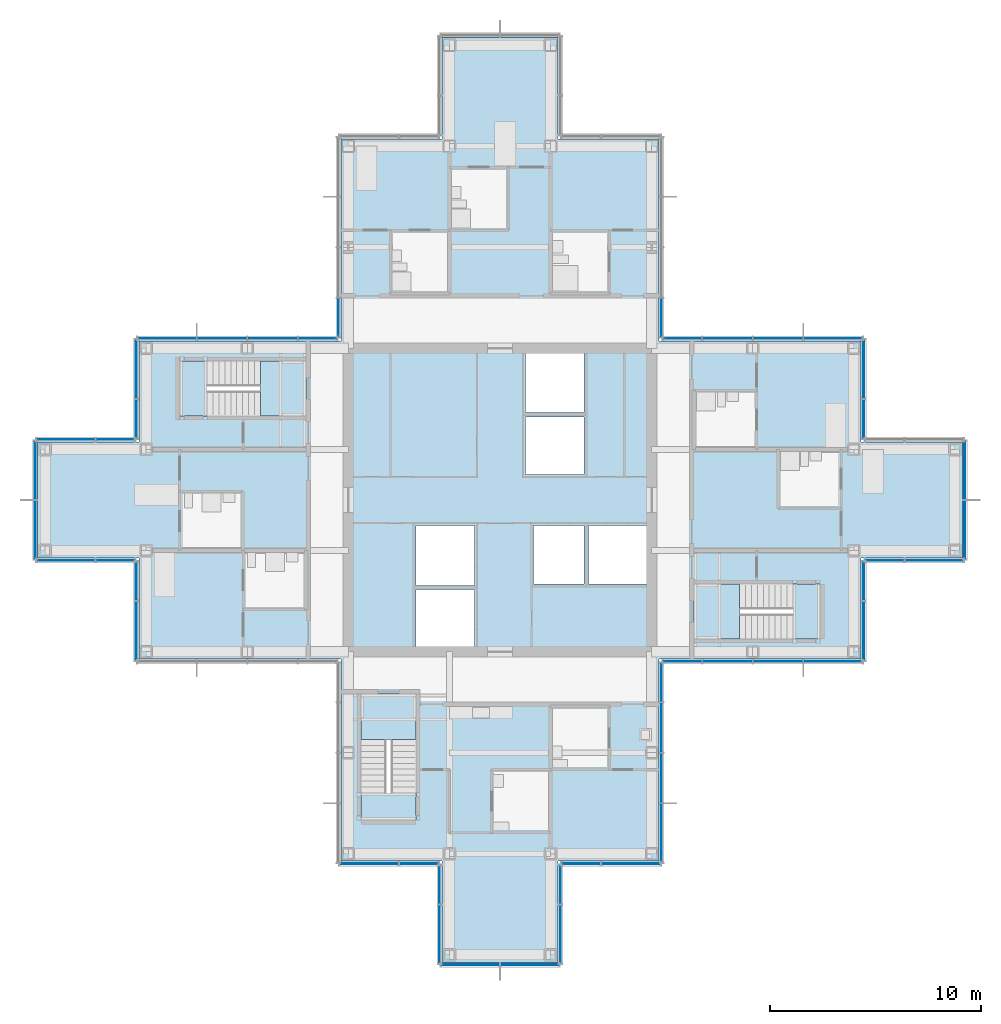
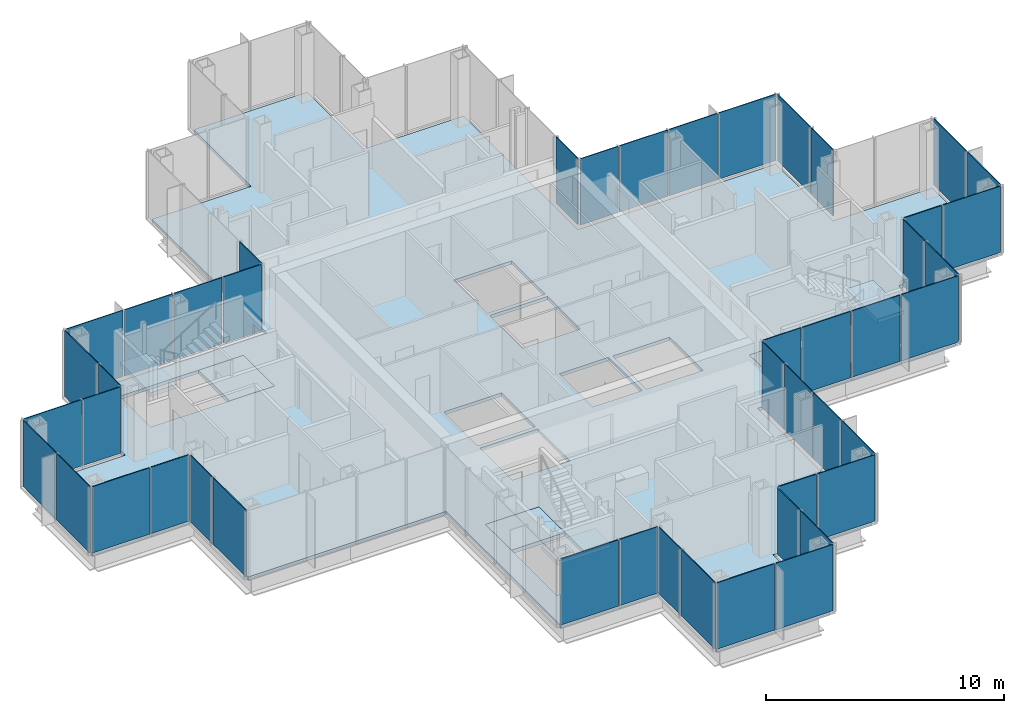
# One storey, part 10 of 17: 46 plates, 7 slabs, 23 elements without a shape of their own.
"""IFC4 building model written with IfcOpenShell, lengths in metres."""

from ifc_helpers import new_model, si_unit, direction, frame, origin, origin_2d, place, context, subcontext, project, spatial, polyline, rectangle, outline, extrude, material, layer, layer_set, type_object, element, aggregate, save


model = new_model("IFC4")

# Units and contexts
model_context = context("Model", 3, precision=1e-05, world=origin(), true_north=direction((0.0, 1.0)))
body_context = subcontext(model_context, "Body", "Model", "MODEL_VIEW")
ifc_project = project(units=[si_unit("LENGTHUNIT", "METRE"), si_unit("AREAUNIT", "SQUARE_METRE"), si_unit("VOLUMEUNIT", "CUBIC_METRE"), si_unit("PLANEANGLEUNIT", "RADIAN"), si_unit("MASSUNIT", "GRAM", prefix="KILO")], contexts=[model_context])

# Site, building, storey
site_placement = place(None, origin())
site = spatial("IfcSite", under=ifc_project, at=site_placement, CompositionType="ELEMENT")
building_placement = place(site_placement, origin())
building = spatial("IfcBuilding", under=site, at=building_placement, Name="Kvirike Care Tower", CompositionType="ELEMENT")
storey_placement = place(building_placement, frame((0.0, 0.0, 144.5)))
storey = spatial("IfcBuildingStorey", under=building, at=storey_placement, Name="L39", CompositionType="ELEMENT", Elevation=144.5)

# Slab
ifc_material_1 = material(Name="Concrete C35/45", Category="concrete")
ifc_layer_1 = layer(ifc_material_1, 0.169921875)
ifc_layer_set_1 = layer_set([ifc_layer_1], Name="FLOOR SLAB 170")
slab_type_1 = type_object("IfcSlabType", Name="FLOOR SLAB 170", PredefinedType="FLOOR", material=ifc_layer_set_1)
slab_1_placement = place(storey_placement, frame((0.0, 0.0, -0.169921875)))
element("IfcSlab", 1, at=slab_1_placement, inside=storey, type_object=slab_type_1, Name="Floor slab L39", PredefinedType="FLOOR", context=body_context, shape_type="SweptSolid", body=[
    extrude(outline(polyline([(29.14990234375, 28.449951171875), (38.75, 28.449951171875), (38.75, 33.25), (43.550048828125, 33.25), (43.550048828125, 38.75), (38.75, 38.75), (38.75, 43.550048828125), (29.14990234375, 43.550048828125), (29.14990234375, 53.14990234375), (24.35009765625, 53.14990234375), (24.35009765625, 57.949951171875), (18.85009765625, 57.949951171875), (18.85009765625, 53.14990234375), (14.050048828125, 53.14990234375), (14.050048828125, 43.550048828125), (4.449951171875, 43.550048828125), (4.449951171875, 38.75), (-0.35009765625, 38.75), (-0.35009765625, 33.25), (4.449951171875, 33.25), (4.449951171875, 28.449951171875), (14.050048828125, 28.449951171875), (14.050048828125, 18.85009765625), (18.85009765625, 18.85009765625), (18.85009765625, 14.050048828125), (24.35009765625, 14.050048828125), (24.35009765625, 18.85009765625), (29.14990234375, 18.85009765625), (29.14990234375, 28.449951171875)]), holes=[polyline([(17.60009765625, 29.050048828125), (17.60009765625, 31.75), (20.39990234375, 31.75), (20.39990234375, 29.050048828125), (17.60009765625, 29.050048828125)]), polyline([(17.60009765625, 31.949951171875), (17.60009765625, 34.800048828125), (20.39990234375, 34.800048828125), (20.39990234375, 31.949951171875), (17.60009765625, 31.949951171875)]), polyline([(22.800048828125, 37.199951171875), (22.800048828125, 39.949951171875), (25.60009765625, 39.949951171875), (25.60009765625, 37.199951171875), (22.800048828125, 37.199951171875)]), polyline([(22.800048828125, 40.14990234375), (22.800048828125, 42.949951171875), (25.60009765625, 42.949951171875), (25.60009765625, 40.14990234375), (22.800048828125, 40.14990234375)]), polyline([(23.199951171875, 32.0), (23.199951171875, 34.800048828125), (25.60009765625, 34.800048828125), (25.60009765625, 32.0), (23.199951171875, 32.0)]), polyline([(25.800048828125, 32.0), (25.800048828125, 34.800048828125), (28.550048828125, 34.800048828125), (28.550048828125, 32.0), (25.800048828125, 32.0)]), polyline([(12.39990234375, 42.60009765625), (12.39990234375, 40.0), (6.39990234375, 40.0), (6.39990234375, 42.60009765625), (12.39990234375, 42.60009765625)]), polyline([(30.800048828125, 29.39990234375), (30.800048828125, 32.0), (36.800048828125, 32.0), (36.800048828125, 29.39990234375), (30.800048828125, 29.39990234375)]), polyline([(15.0, 26.800048828125), (17.60009765625, 26.800048828125), (17.60009765625, 20.800048828125), (15.0, 20.800048828125), (15.0, 26.800048828125)])]), origin(), (0.0, 0.0, 1.0), 0.169921875),
])

# Stair, slabs
ifc_material_2 = material(Name="Concrete C35/45", Category="concrete")
stair_type = type_object("IfcStairType", Name="STAIR 20 RISERS", PredefinedType="HALF_TURN_STAIR", material=ifc_material_2)
stair_1_placement = place(storey_placement, origin())
stair_1 = element("IfcStair", 2, at=stair_1_placement, inside=storey, type_object=stair_type, Name="Stair 1 L39", PredefinedType="HALF_TURN_STAIR")
ifc_material_3 = material(Name="Concrete C35/45", Category="concrete")
ifc_layer_2 = layer(ifc_material_3, 0.199951171875)
ifc_layer_set_2 = layer_set([ifc_layer_2], Name="STAIR LANDING 200")
slab_type_2 = type_object("IfcSlabType", Name="STAIR LANDING 200", PredefinedType="LANDING", material=ifc_layer_set_2)
slab_2_placement = place(storey_placement, frame((0.0, 0.0, -0.199951171875)))
slab_2 = element("IfcSlab", 3, at=slab_2_placement, type_object=slab_type_2, Name="Stair S1 floor landing L39", PredefinedType="LANDING", context=body_context, shape_type="SweptSolid", body=[
    extrude(outline(polyline([(10.219970703125, 42.60009765625), (10.219970703125, 40.0), (12.39990234375, 40.0), (12.39990234375, 42.60009765625), (10.219970703125, 42.60009765625)])), origin(), (0.0, 0.0, 1.0), 0.199951171875),
])
slab_3_placement = place(storey_placement, frame((0.0, 0.0, 1.550048828125)))
slab_3 = element("IfcSlab", 4, at=slab_3_placement, type_object=slab_type_2, Name="Stair S1 half landing L39-L40", PredefinedType="LANDING", context=body_context, shape_type="SweptSolid", body=[
    extrude(outline(polyline([(6.39990234375, 42.60009765625), (6.39990234375, 40.0), (7.699951171875, 40.0), (7.699951171875, 42.60009765625), (6.39990234375, 42.60009765625)])), origin(), (0.0, 0.0, 1.0), 0.199951171875),
])
aggregate(stair_1, [slab_2, slab_3])

stair_2_placement = place(storey_placement, origin())
stair_2 = element("IfcStair", 5, at=stair_2_placement, inside=storey, type_object=stair_type, Name="Stair 2 L39", PredefinedType="HALF_TURN_STAIR")
slab_4_placement = place(storey_placement, frame((0.0, 0.0, -0.199951171875)))
slab_4 = element("IfcSlab", 6, at=slab_4_placement, type_object=slab_type_2, Name="Stair S2 floor landing L39", PredefinedType="LANDING", context=body_context, shape_type="SweptSolid", body=[
    extrude(outline(polyline([(32.97998046875, 29.39990234375), (32.97998046875, 32.0), (30.800048828125, 32.0), (30.800048828125, 29.39990234375), (32.97998046875, 29.39990234375)])), origin(), (0.0, 0.0, 1.0), 0.199951171875),
])
slab_5_placement = place(storey_placement, frame((0.0, 0.0, 1.550048828125)))
slab_5 = element("IfcSlab", 7, at=slab_5_placement, type_object=slab_type_2, Name="Stair S2 half landing L39-L40", PredefinedType="LANDING", context=body_context, shape_type="SweptSolid", body=[
    extrude(outline(polyline([(36.800048828125, 29.39990234375), (36.800048828125, 32.0), (35.5, 32.0), (35.5, 29.39990234375), (36.800048828125, 29.39990234375)])), origin(), (0.0, 0.0, 1.0), 0.199951171875),
])
aggregate(stair_2, [slab_4, slab_5])

stair_3_placement = place(storey_placement, origin())
stair_3 = element("IfcStair", 8, at=stair_3_placement, inside=storey, type_object=stair_type, Name="Stair 5 L39", PredefinedType="HALF_TURN_STAIR")
slab_6_placement = place(storey_placement, frame((0.0, 0.0, -0.199951171875)))
slab_6 = element("IfcSlab", 9, at=slab_6_placement, type_object=slab_type_2, Name="Stair S5 floor landing L39", PredefinedType="LANDING", context=body_context, shape_type="SweptSolid", body=[
    extrude(outline(polyline([(15.0, 24.6201171875), (17.60009765625, 24.6201171875), (17.60009765625, 26.800048828125), (15.0, 26.800048828125), (15.0, 24.6201171875)])), origin(), (0.0, 0.0, 1.0), 0.199951171875),
])
slab_7_placement = place(storey_placement, frame((0.0, 0.0, 1.550048828125)))
slab_7 = element("IfcSlab", 10, at=slab_7_placement, type_object=slab_type_2, Name="Stair S5 half landing L39-L40", PredefinedType="LANDING", context=body_context, shape_type="SweptSolid", body=[
    extrude(outline(polyline([(15.0, 20.800048828125), (17.60009765625, 20.800048828125), (17.60009765625, 22.10009765625), (15.0, 22.10009765625), (15.0, 20.800048828125)])), origin(), (0.0, 0.0, 1.0), 0.199951171875),
])
aggregate(stair_3, [slab_6, slab_7])

# Curtain wall, plates
ifc_material_4 = material(Name="Anodised aluminium stick system", Category="aluminium")
curtain_wall_type = type_object("IfcCurtainWallType", Name="CW-C STICK CURTAIN WALL", PredefinedType="NOTDEFINED", material=ifc_material_4)
curtain_wall_1_placement = place(storey_placement, origin())
curtain_wall_1 = element("IfcCurtainWall", 11, at=curtain_wall_1_placement, inside=storey, type_object=curtain_wall_type, Name="Curtain wall L39 face 1", PredefinedType="NOTDEFINED")
ifc_material_5 = material(Name="Tinted double glazed unit", Category="glass")
ifc_layer_3 = layer(ifc_material_5, 0.0400390625)
ifc_layer_set_3 = layer_set([ifc_layer_3], Name="TINTED VISION PANEL 40")
plate_type = type_object("IfcPlateType", Name="TINTED VISION PANEL 40", PredefinedType="CURTAIN_PANEL", material=ifc_layer_set_3)
plate_1_placement = place(storey_placement, frame((30.251220703125, 28.330078125, 0.10009765625), z_axis=(0.0, 0.0, 1.0), x_axis=(1.0, 0.0, 0.0)))
plate_1 = element("IfcPlate", 12, at=plate_1_placement, type_object=plate_type, Name="CW-C panel L39 face 1.1", PredefinedType="CURTAIN_PANEL", context=body_context, shape_type="SweptSolid", body=[
    extrude(rectangle(XDim=1.83251953125, YDim=0.0400390625, at=origin_2d()), origin(), (0.0, 0.0, 1.0), 3.39990234375),
])
plate_2_placement = place(storey_placement, frame((32.39990234375, 28.330078125, 0.10009765625), z_axis=(0.0, 0.0, 1.0), x_axis=(1.0, 0.0, 0.0)))
plate_2 = element("IfcPlate", 13, at=plate_2_placement, type_object=plate_type, Name="CW-C panel L39 face 1.2", PredefinedType="CURTAIN_PANEL", context=body_context, shape_type="SweptSolid", body=[
    extrude(rectangle(XDim=2.3349609375, YDim=0.0400390625, at=origin_2d()), origin(), (0.0, 0.0, 1.0), 3.39990234375),
])
plate_3_placement = place(storey_placement, frame((34.800048828125, 28.330078125, 0.10009765625), z_axis=(0.0, 0.0, 1.0), x_axis=(1.0, 0.0, 0.0)))
plate_3 = element("IfcPlate", 14, at=plate_3_placement, type_object=plate_type, Name="CW-C panel L39 face 1.3", PredefinedType="CURTAIN_PANEL", context=body_context, shape_type="SweptSolid", body=[
    extrude(rectangle(XDim=2.3349609375, YDim=0.0400390625, at=origin_2d()), origin(), (0.0, 0.0, 1.0), 3.39990234375),
])
plate_4_placement = place(storey_placement, frame((37.418701171875, 28.330078125, 0.10009765625), z_axis=(0.0, 0.0, 1.0), x_axis=(1.0, 0.0, 0.0)))
plate_4 = element("IfcPlate", 15, at=plate_4_placement, type_object=plate_type, Name="CW-C panel L39 face 1.4", PredefinedType="CURTAIN_PANEL", context=body_context, shape_type="SweptSolid", body=[
    extrude(rectangle(XDim=2.7724609375, YDim=0.0400390625, at=origin_2d()), origin(), (0.0, 0.0, 1.0), 3.39990234375),
])
aggregate(curtain_wall_1, [plate_1, plate_2, plate_3, plate_4])

curtain_wall_2_placement = place(storey_placement, origin())
curtain_wall_2 = element("IfcCurtainWall", 16, at=curtain_wall_2_placement, inside=storey, type_object=curtain_wall_type, Name="Curtain wall L39 face 2", PredefinedType="NOTDEFINED")
plate_5_placement = place(storey_placement, frame((38.8701171875, 29.78125, 0.10009765625), z_axis=(0.0, 0.0, 1.0), x_axis=(0.0, 1.0, 0.0)))
plate_5 = element("IfcPlate", 17, at=plate_5_placement, type_object=plate_type, Name="CW-C panel L39 face 2.1", PredefinedType="CURTAIN_PANEL", context=body_context, shape_type="SweptSolid", body=[
    extrude(rectangle(XDim=2.7724609375, YDim=0.0400390625, at=origin_2d()), origin(), (0.0, 0.0, 1.0), 3.39990234375),
])
plate_6_placement = place(storey_placement, frame((38.8701171875, 32.148681640625, 0.10009765625), z_axis=(0.0, 0.0, 1.0), x_axis=(0.0, 1.0, 0.0)))
plate_6 = element("IfcPlate", 18, at=plate_6_placement, type_object=plate_type, Name="CW-C panel L39 face 2.2", PredefinedType="CURTAIN_PANEL", context=body_context, shape_type="SweptSolid", body=[
    extrude(rectangle(XDim=1.83251953125, YDim=0.0400390625, at=origin_2d()), origin(), (0.0, 0.0, 1.0), 3.39990234375),
])
aggregate(curtain_wall_2, [plate_5, plate_6])

curtain_wall_3_placement = place(storey_placement, origin())
curtain_wall_3 = element("IfcCurtainWall", 19, at=curtain_wall_3_placement, inside=storey, type_object=curtain_wall_type, Name="Curtain wall L39 face 3", PredefinedType="NOTDEFINED")
plate_7_placement = place(storey_placement, frame((39.851318359375, 33.1298828125, 0.10009765625), z_axis=(0.0, 0.0, 1.0), x_axis=(1.0, 0.0, 0.0)))
plate_7 = element("IfcPlate", 20, at=plate_7_placement, type_object=plate_type, Name="CW-C panel L39 face 3.1", PredefinedType="CURTAIN_PANEL", context=body_context, shape_type="SweptSolid", body=[
    extrude(rectangle(XDim=1.83251953125, YDim=0.0400390625, at=origin_2d()), origin(), (0.0, 0.0, 1.0), 3.39990234375),
])
plate_8_placement = place(storey_placement, frame((42.21875, 33.1298828125, 0.10009765625), z_axis=(0.0, 0.0, 1.0), x_axis=(1.0, 0.0, 0.0)))
plate_8 = element("IfcPlate", 21, at=plate_8_placement, type_object=plate_type, Name="CW-C panel L39 face 3.2", PredefinedType="CURTAIN_PANEL", context=body_context, shape_type="SweptSolid", body=[
    extrude(rectangle(XDim=2.7724609375, YDim=0.0400390625, at=origin_2d()), origin(), (0.0, 0.0, 1.0), 3.39990234375),
])
aggregate(curtain_wall_3, [plate_7, plate_8])

curtain_wall_4_placement = place(storey_placement, origin())
curtain_wall_4 = element("IfcCurtainWall", 22, at=curtain_wall_4_placement, inside=storey, type_object=curtain_wall_type, Name="Curtain wall L39 face 4", PredefinedType="NOTDEFINED")
plate_9_placement = place(storey_placement, frame((43.669921875, 34.581298828125, 0.10009765625), z_axis=(0.0, 0.0, 1.0), x_axis=(0.0, 1.0, 0.0)))
plate_9 = element("IfcPlate", 23, at=plate_9_placement, type_object=plate_type, Name="CW-C panel L39 face 4.1", PredefinedType="CURTAIN_PANEL", context=body_context, shape_type="SweptSolid", body=[
    extrude(rectangle(XDim=2.7724609375, YDim=0.0400390625, at=origin_2d()), origin(), (0.0, 0.0, 1.0), 3.39990234375),
])
plate_10_placement = place(storey_placement, frame((43.669921875, 37.418701171875, 0.10009765625), z_axis=(0.0, 0.0, 1.0), x_axis=(0.0, 1.0, 0.0)))
plate_10 = element("IfcPlate", 24, at=plate_10_placement, type_object=plate_type, Name="CW-C panel L39 face 4.2", PredefinedType="CURTAIN_PANEL", context=body_context, shape_type="SweptSolid", body=[
    extrude(rectangle(XDim=2.7724609375, YDim=0.0400390625, at=origin_2d()), origin(), (0.0, 0.0, 1.0), 3.39990234375),
])
aggregate(curtain_wall_4, [plate_9, plate_10])

curtain_wall_5_placement = place(storey_placement, origin())
curtain_wall_5 = element("IfcCurtainWall", 25, at=curtain_wall_5_placement, inside=storey, type_object=curtain_wall_type, Name="Curtain wall L39 face 6", PredefinedType="NOTDEFINED")
plate_11_placement = place(storey_placement, frame((38.8701171875, 39.851318359375, 0.10009765625), z_axis=(0.0, 0.0, 1.0), x_axis=(0.0, 1.0, 0.0)))
plate_11 = element("IfcPlate", 26, at=plate_11_placement, type_object=plate_type, Name="CW-C panel L39 face 6.1", PredefinedType="CURTAIN_PANEL", context=body_context, shape_type="SweptSolid", body=[
    extrude(rectangle(XDim=1.83251953125, YDim=0.0400390625, at=origin_2d()), origin(), (0.0, 0.0, 1.0), 3.39990234375),
])
plate_12_placement = place(storey_placement, frame((38.8701171875, 42.21875, 0.10009765625), z_axis=(0.0, 0.0, 1.0), x_axis=(0.0, 1.0, 0.0)))
plate_12 = element("IfcPlate", 27, at=plate_12_placement, type_object=plate_type, Name="CW-C panel L39 face 6.2", PredefinedType="CURTAIN_PANEL", context=body_context, shape_type="SweptSolid", body=[
    extrude(rectangle(XDim=2.7724609375, YDim=0.0400390625, at=origin_2d()), origin(), (0.0, 0.0, 1.0), 3.39990234375),
])
aggregate(curtain_wall_5, [plate_11, plate_12])

curtain_wall_6_placement = place(storey_placement, origin())
curtain_wall_6 = element("IfcCurtainWall", 28, at=curtain_wall_6_placement, inside=storey, type_object=curtain_wall_type, Name="Curtain wall L39 face 7", PredefinedType="NOTDEFINED")
plate_13_placement = place(storey_placement, frame((37.418701171875, 43.669921875, 0.10009765625), z_axis=(0.0, 0.0, 1.0), x_axis=(-1.0, 0.0, 0.0)))
plate_13 = element("IfcPlate", 29, at=plate_13_placement, type_object=plate_type, Name="CW-C panel L39 face 7.1", PredefinedType="CURTAIN_PANEL", context=body_context, shape_type="SweptSolid", body=[
    extrude(rectangle(XDim=2.7724609375, YDim=0.0400390625, at=origin_2d()), origin(), (0.0, 0.0, 1.0), 3.39990234375),
])
plate_14_placement = place(storey_placement, frame((34.800048828125, 43.669921875, 0.10009765625), z_axis=(0.0, 0.0, 1.0), x_axis=(-1.0, 0.0, 0.0)))
plate_14 = element("IfcPlate", 30, at=plate_14_placement, type_object=plate_type, Name="CW-C panel L39 face 7.2", PredefinedType="CURTAIN_PANEL", context=body_context, shape_type="SweptSolid", body=[
    extrude(rectangle(XDim=2.3349609375, YDim=0.0400390625, at=origin_2d()), origin(), (0.0, 0.0, 1.0), 3.39990234375),
])
plate_15_placement = place(storey_placement, frame((32.39990234375, 43.669921875, 0.10009765625), z_axis=(0.0, 0.0, 1.0), x_axis=(-1.0, 0.0, 0.0)))
plate_15 = element("IfcPlate", 31, at=plate_15_placement, type_object=plate_type, Name="CW-C panel L39 face 7.3", PredefinedType="CURTAIN_PANEL", context=body_context, shape_type="SweptSolid", body=[
    extrude(rectangle(XDim=2.3349609375, YDim=0.0400390625, at=origin_2d()), origin(), (0.0, 0.0, 1.0), 3.39990234375),
])
plate_16_placement = place(storey_placement, frame((30.251220703125, 43.669921875, 0.10009765625), z_axis=(0.0, 0.0, 1.0), x_axis=(-1.0, 0.0, 0.0)))
plate_16 = element("IfcPlate", 32, at=plate_16_placement, type_object=plate_type, Name="CW-C panel L39 face 7.4", PredefinedType="CURTAIN_PANEL", context=body_context, shape_type="SweptSolid", body=[
    extrude(rectangle(XDim=1.83251953125, YDim=0.0400390625, at=origin_2d()), origin(), (0.0, 0.0, 1.0), 3.39990234375),
])
aggregate(curtain_wall_6, [plate_13, plate_14, plate_15, plate_16])

# Curtain wall, plate
curtain_wall_7_placement = place(storey_placement, origin())
curtain_wall_7 = element("IfcCurtainWall", 33, at=curtain_wall_7_placement, inside=storey, type_object=curtain_wall_type, Name="Curtain wall L39 face 8", PredefinedType="NOTDEFINED")
plate_17_placement = place(storey_placement, frame((29.27001953125, 44.6513671875, 0.10009765625), z_axis=(0.0, 0.0, 1.0), x_axis=(0.0, 1.0, 0.0)))
plate_17 = element("IfcPlate", 34, at=plate_17_placement, type_object=plate_type, Name="CW-C panel L39 face 8.1", PredefinedType="CURTAIN_PANEL", context=body_context, shape_type="SweptSolid", body=[
    extrude(rectangle(XDim=1.83251953125, YDim=0.0400390625, at=origin_2d()), origin(), (0.0, 0.0, 1.0), 3.39990234375),
])
aggregate(curtain_wall_7, [plate_17])

curtain_wall_8_placement = place(storey_placement, origin())
curtain_wall_8 = element("IfcCurtainWall", 35, at=curtain_wall_8_placement, inside=storey, type_object=curtain_wall_type, Name="Curtain wall L39 face 14", PredefinedType="NOTDEFINED")
plate_18_placement = place(storey_placement, frame((13.929931640625, 44.6513671875, 0.10009765625), z_axis=(0.0, 0.0, 1.0), x_axis=(0.0, -1.0, 0.0)))
plate_18 = element("IfcPlate", 36, at=plate_18_placement, type_object=plate_type, Name="CW-C panel L39 face 14.4", PredefinedType="CURTAIN_PANEL", context=body_context, shape_type="SweptSolid", body=[
    extrude(rectangle(XDim=1.83251953125, YDim=0.0400390625, at=origin_2d()), origin(), (0.0, 0.0, 1.0), 3.39990234375),
])
aggregate(curtain_wall_8, [plate_18])

# Curtain wall, plates
curtain_wall_9_placement = place(storey_placement, origin())
curtain_wall_9 = element("IfcCurtainWall", 37, at=curtain_wall_9_placement, inside=storey, type_object=curtain_wall_type, Name="Curtain wall L39 face 15", PredefinedType="NOTDEFINED")
plate_19_placement = place(storey_placement, frame((12.94873046875, 43.669921875, 0.10009765625), z_axis=(0.0, 0.0, 1.0), x_axis=(-1.0, 0.0, 0.0)))
plate_19 = element("IfcPlate", 38, at=plate_19_placement, type_object=plate_type, Name="CW-C panel L39 face 15.1", PredefinedType="CURTAIN_PANEL", context=body_context, shape_type="SweptSolid", body=[
    extrude(rectangle(XDim=1.83251953125, YDim=0.0400390625, at=origin_2d()), origin(), (0.0, 0.0, 1.0), 3.39990234375),
])
plate_20_placement = place(storey_placement, frame((10.800048828125, 43.669921875, 0.10009765625), z_axis=(0.0, 0.0, 1.0), x_axis=(-1.0, 0.0, 0.0)))
plate_20 = element("IfcPlate", 39, at=plate_20_placement, type_object=plate_type, Name="CW-C panel L39 face 15.2", PredefinedType="CURTAIN_PANEL", context=body_context, shape_type="SweptSolid", body=[
    extrude(rectangle(XDim=2.3349609375, YDim=0.0400390625, at=origin_2d()), origin(), (0.0, 0.0, 1.0), 3.39990234375),
])
plate_21_placement = place(storey_placement, frame((8.39990234375, 43.669921875, 0.10009765625), z_axis=(0.0, 0.0, 1.0), x_axis=(-1.0, 0.0, 0.0)))
plate_21 = element("IfcPlate", 40, at=plate_21_placement, type_object=plate_type, Name="CW-C panel L39 face 15.3", PredefinedType="CURTAIN_PANEL", context=body_context, shape_type="SweptSolid", body=[
    extrude(rectangle(XDim=2.3349609375, YDim=0.0400390625, at=origin_2d()), origin(), (0.0, 0.0, 1.0), 3.39990234375),
])
plate_22_placement = place(storey_placement, frame((5.78125, 43.669921875, 0.10009765625), z_axis=(0.0, 0.0, 1.0), x_axis=(-1.0, 0.0, 0.0)))
plate_22 = element("IfcPlate", 41, at=plate_22_placement, type_object=plate_type, Name="CW-C panel L39 face 15.4", PredefinedType="CURTAIN_PANEL", context=body_context, shape_type="SweptSolid", body=[
    extrude(rectangle(XDim=2.7724609375, YDim=0.0400390625, at=origin_2d()), origin(), (0.0, 0.0, 1.0), 3.39990234375),
])
aggregate(curtain_wall_9, [plate_19, plate_20, plate_21, plate_22])

curtain_wall_10_placement = place(storey_placement, origin())
curtain_wall_10 = element("IfcCurtainWall", 42, at=curtain_wall_10_placement, inside=storey, type_object=curtain_wall_type, Name="Curtain wall L39 face 16", PredefinedType="NOTDEFINED")
plate_23_placement = place(storey_placement, frame((4.330078125, 42.21875, 0.10009765625), z_axis=(0.0, 0.0, 1.0), x_axis=(0.0, -1.0, 0.0)))
plate_23 = element("IfcPlate", 43, at=plate_23_placement, type_object=plate_type, Name="CW-C panel L39 face 16.1", PredefinedType="CURTAIN_PANEL", context=body_context, shape_type="SweptSolid", body=[
    extrude(rectangle(XDim=2.7724609375, YDim=0.0400390625, at=origin_2d()), origin(), (0.0, 0.0, 1.0), 3.39990234375),
])
plate_24_placement = place(storey_placement, frame((4.330078125, 39.851318359375, 0.10009765625), z_axis=(0.0, 0.0, 1.0), x_axis=(0.0, -1.0, 0.0)))
plate_24 = element("IfcPlate", 44, at=plate_24_placement, type_object=plate_type, Name="CW-C panel L39 face 16.2", PredefinedType="CURTAIN_PANEL", context=body_context, shape_type="SweptSolid", body=[
    extrude(rectangle(XDim=1.83251953125, YDim=0.0400390625, at=origin_2d()), origin(), (0.0, 0.0, 1.0), 3.39990234375),
])
aggregate(curtain_wall_10, [plate_23, plate_24])

curtain_wall_11_placement = place(storey_placement, origin())
curtain_wall_11 = element("IfcCurtainWall", 45, at=curtain_wall_11_placement, inside=storey, type_object=curtain_wall_type, Name="Curtain wall L39 face 17", PredefinedType="NOTDEFINED")
plate_25_placement = place(storey_placement, frame((3.3486328125, 38.8701171875, 0.10009765625), z_axis=(0.0, 0.0, 1.0), x_axis=(-1.0, 0.0, 0.0)))
plate_25 = element("IfcPlate", 46, at=plate_25_placement, type_object=plate_type, Name="CW-C panel L39 face 17.1", PredefinedType="CURTAIN_PANEL", context=body_context, shape_type="SweptSolid", body=[
    extrude(rectangle(XDim=1.83251953125, YDim=0.0400390625, at=origin_2d()), origin(), (0.0, 0.0, 1.0), 3.39990234375),
])
plate_26_placement = place(storey_placement, frame((0.981201171875, 38.8701171875, 0.10009765625), z_axis=(0.0, 0.0, 1.0), x_axis=(-1.0, 0.0, 0.0)))
plate_26 = element("IfcPlate", 47, at=plate_26_placement, type_object=plate_type, Name="CW-C panel L39 face 17.2", PredefinedType="CURTAIN_PANEL", context=body_context, shape_type="SweptSolid", body=[
    extrude(rectangle(XDim=2.7724609375, YDim=0.0400390625, at=origin_2d()), origin(), (0.0, 0.0, 1.0), 3.39990234375),
])
aggregate(curtain_wall_11, [plate_25, plate_26])

curtain_wall_12_placement = place(storey_placement, origin())
curtain_wall_12 = element("IfcCurtainWall", 48, at=curtain_wall_12_placement, inside=storey, type_object=curtain_wall_type, Name="Curtain wall L39 face 18", PredefinedType="NOTDEFINED")
plate_27_placement = place(storey_placement, frame((-0.469970703125, 37.418701171875, 0.10009765625), z_axis=(0.0, 0.0, 1.0), x_axis=(0.0, -1.0, 0.0)))
plate_27 = element("IfcPlate", 49, at=plate_27_placement, type_object=plate_type, Name="CW-C panel L39 face 18.1", PredefinedType="CURTAIN_PANEL", context=body_context, shape_type="SweptSolid", body=[
    extrude(rectangle(XDim=2.7724609375, YDim=0.0400390625, at=origin_2d()), origin(), (0.0, 0.0, 1.0), 3.39990234375),
])
plate_28_placement = place(storey_placement, frame((-0.469970703125, 34.581298828125, 0.10009765625), z_axis=(0.0, 0.0, 1.0), x_axis=(0.0, -1.0, 0.0)))
plate_28 = element("IfcPlate", 50, at=plate_28_placement, type_object=plate_type, Name="CW-C panel L39 face 18.2", PredefinedType="CURTAIN_PANEL", context=body_context, shape_type="SweptSolid", body=[
    extrude(rectangle(XDim=2.7724609375, YDim=0.0400390625, at=origin_2d()), origin(), (0.0, 0.0, 1.0), 3.39990234375),
])
aggregate(curtain_wall_12, [plate_27, plate_28])

curtain_wall_13_placement = place(storey_placement, origin())
curtain_wall_13 = element("IfcCurtainWall", 51, at=curtain_wall_13_placement, inside=storey, type_object=curtain_wall_type, Name="Curtain wall L39 face 19", PredefinedType="NOTDEFINED")
plate_29_placement = place(storey_placement, frame((0.981201171875, 33.1298828125, 0.10009765625), z_axis=(0.0, 0.0, 1.0), x_axis=(1.0, 0.0, 0.0)))
plate_29 = element("IfcPlate", 52, at=plate_29_placement, type_object=plate_type, Name="CW-C panel L39 face 19.1", PredefinedType="CURTAIN_PANEL", context=body_context, shape_type="SweptSolid", body=[
    extrude(rectangle(XDim=2.7724609375, YDim=0.0400390625, at=origin_2d()), origin(), (0.0, 0.0, 1.0), 3.39990234375),
])
plate_30_placement = place(storey_placement, frame((3.3486328125, 33.1298828125, 0.10009765625), z_axis=(0.0, 0.0, 1.0), x_axis=(1.0, 0.0, 0.0)))
plate_30 = element("IfcPlate", 53, at=plate_30_placement, type_object=plate_type, Name="CW-C panel L39 face 19.2", PredefinedType="CURTAIN_PANEL", context=body_context, shape_type="SweptSolid", body=[
    extrude(rectangle(XDim=1.83251953125, YDim=0.0400390625, at=origin_2d()), origin(), (0.0, 0.0, 1.0), 3.39990234375),
])
aggregate(curtain_wall_13, [plate_29, plate_30])

curtain_wall_14_placement = place(storey_placement, origin())
curtain_wall_14 = element("IfcCurtainWall", 54, at=curtain_wall_14_placement, inside=storey, type_object=curtain_wall_type, Name="Curtain wall L39 face 20", PredefinedType="NOTDEFINED")
plate_31_placement = place(storey_placement, frame((4.330078125, 32.148681640625, 0.10009765625), z_axis=(0.0, 0.0, 1.0), x_axis=(0.0, -1.0, 0.0)))
plate_31 = element("IfcPlate", 55, at=plate_31_placement, type_object=plate_type, Name="CW-C panel L39 face 20.1", PredefinedType="CURTAIN_PANEL", context=body_context, shape_type="SweptSolid", body=[
    extrude(rectangle(XDim=1.83251953125, YDim=0.0400390625, at=origin_2d()), origin(), (0.0, 0.0, 1.0), 3.39990234375),
])
plate_32_placement = place(storey_placement, frame((4.330078125, 29.78125, 0.10009765625), z_axis=(0.0, 0.0, 1.0), x_axis=(0.0, -1.0, 0.0)))
plate_32 = element("IfcPlate", 56, at=plate_32_placement, type_object=plate_type, Name="CW-C panel L39 face 20.2", PredefinedType="CURTAIN_PANEL", context=body_context, shape_type="SweptSolid", body=[
    extrude(rectangle(XDim=2.7724609375, YDim=0.0400390625, at=origin_2d()), origin(), (0.0, 0.0, 1.0), 3.39990234375),
])
aggregate(curtain_wall_14, [plate_31, plate_32])

curtain_wall_15_placement = place(storey_placement, origin())
curtain_wall_15 = element("IfcCurtainWall", 57, at=curtain_wall_15_placement, inside=storey, type_object=curtain_wall_type, Name="Curtain wall L39 face 23", PredefinedType="NOTDEFINED")
plate_33_placement = place(storey_placement, frame((15.38134765625, 18.72998046875, 0.10009765625), z_axis=(0.0, 0.0, 1.0), x_axis=(1.0, 0.0, 0.0)))
plate_33 = element("IfcPlate", 58, at=plate_33_placement, type_object=plate_type, Name="CW-C panel L39 face 23.1", PredefinedType="CURTAIN_PANEL", context=body_context, shape_type="SweptSolid", body=[
    extrude(rectangle(XDim=2.7724609375, YDim=0.0400390625, at=origin_2d()), origin(), (0.0, 0.0, 1.0), 3.39990234375),
])
plate_34_placement = place(storey_placement, frame((17.748779296875, 18.72998046875, 0.10009765625), z_axis=(0.0, 0.0, 1.0), x_axis=(1.0, 0.0, 0.0)))
plate_34 = element("IfcPlate", 59, at=plate_34_placement, type_object=plate_type, Name="CW-C panel L39 face 23.2", PredefinedType="CURTAIN_PANEL", context=body_context, shape_type="SweptSolid", body=[
    extrude(rectangle(XDim=1.83251953125, YDim=0.0400390625, at=origin_2d()), origin(), (0.0, 0.0, 1.0), 3.39990234375),
])
aggregate(curtain_wall_15, [plate_33, plate_34])

curtain_wall_16_placement = place(storey_placement, origin())
curtain_wall_16 = element("IfcCurtainWall", 60, at=curtain_wall_16_placement, inside=storey, type_object=curtain_wall_type, Name="Curtain wall L39 face 24", PredefinedType="NOTDEFINED")
plate_35_placement = place(storey_placement, frame((18.72998046875, 17.748779296875, 0.10009765625), z_axis=(0.0, 0.0, 1.0), x_axis=(0.0, -1.0, 0.0)))
plate_35 = element("IfcPlate", 61, at=plate_35_placement, type_object=plate_type, Name="CW-C panel L39 face 24.1", PredefinedType="CURTAIN_PANEL", context=body_context, shape_type="SweptSolid", body=[
    extrude(rectangle(XDim=1.83251953125, YDim=0.0400390625, at=origin_2d()), origin(), (0.0, 0.0, 1.0), 3.39990234375),
])
plate_36_placement = place(storey_placement, frame((18.72998046875, 15.38134765625, 0.10009765625), z_axis=(0.0, 0.0, 1.0), x_axis=(0.0, -1.0, 0.0)))
plate_36 = element("IfcPlate", 62, at=plate_36_placement, type_object=plate_type, Name="CW-C panel L39 face 24.2", PredefinedType="CURTAIN_PANEL", context=body_context, shape_type="SweptSolid", body=[
    extrude(rectangle(XDim=2.7724609375, YDim=0.0400390625, at=origin_2d()), origin(), (0.0, 0.0, 1.0), 3.39990234375),
])
aggregate(curtain_wall_16, [plate_35, plate_36])

curtain_wall_17_placement = place(storey_placement, origin())
curtain_wall_17 = element("IfcCurtainWall", 63, at=curtain_wall_17_placement, inside=storey, type_object=curtain_wall_type, Name="Curtain wall L39 face 25", PredefinedType="NOTDEFINED")
plate_37_placement = place(storey_placement, frame((20.18115234375, 13.929931640625, 0.10009765625), z_axis=(0.0, 0.0, 1.0), x_axis=(1.0, 0.0, 0.0)))
plate_37 = element("IfcPlate", 64, at=plate_37_placement, type_object=plate_type, Name="CW-C panel L39 face 25.1", PredefinedType="CURTAIN_PANEL", context=body_context, shape_type="SweptSolid", body=[
    extrude(rectangle(XDim=2.7724609375, YDim=0.0400390625, at=origin_2d()), origin(), (0.0, 0.0, 1.0), 3.39990234375),
])
plate_38_placement = place(storey_placement, frame((23.018798828125, 13.929931640625, 0.10009765625), z_axis=(0.0, 0.0, 1.0), x_axis=(1.0, 0.0, 0.0)))
plate_38 = element("IfcPlate", 65, at=plate_38_placement, type_object=plate_type, Name="CW-C panel L39 face 25.2", PredefinedType="CURTAIN_PANEL", context=body_context, shape_type="SweptSolid", body=[
    extrude(rectangle(XDim=2.7724609375, YDim=0.0400390625, at=origin_2d()), origin(), (0.0, 0.0, 1.0), 3.39990234375),
])
aggregate(curtain_wall_17, [plate_37, plate_38])

curtain_wall_18_placement = place(storey_placement, origin())
curtain_wall_18 = element("IfcCurtainWall", 66, at=curtain_wall_18_placement, inside=storey, type_object=curtain_wall_type, Name="Curtain wall L39 face 26", PredefinedType="NOTDEFINED")
plate_39_placement = place(storey_placement, frame((24.469970703125, 15.38134765625, 0.10009765625), z_axis=(0.0, 0.0, 1.0), x_axis=(0.0, 1.0, 0.0)))
plate_39 = element("IfcPlate", 67, at=plate_39_placement, type_object=plate_type, Name="CW-C panel L39 face 26.1", PredefinedType="CURTAIN_PANEL", context=body_context, shape_type="SweptSolid", body=[
    extrude(rectangle(XDim=2.7724609375, YDim=0.0400390625, at=origin_2d()), origin(), (0.0, 0.0, 1.0), 3.39990234375),
])
plate_40_placement = place(storey_placement, frame((24.469970703125, 17.748779296875, 0.10009765625), z_axis=(0.0, 0.0, 1.0), x_axis=(0.0, 1.0, 0.0)))
plate_40 = element("IfcPlate", 68, at=plate_40_placement, type_object=plate_type, Name="CW-C panel L39 face 26.2", PredefinedType="CURTAIN_PANEL", context=body_context, shape_type="SweptSolid", body=[
    extrude(rectangle(XDim=1.83251953125, YDim=0.0400390625, at=origin_2d()), origin(), (0.0, 0.0, 1.0), 3.39990234375),
])
aggregate(curtain_wall_18, [plate_39, plate_40])

curtain_wall_19_placement = place(storey_placement, origin())
curtain_wall_19 = element("IfcCurtainWall", 69, at=curtain_wall_19_placement, inside=storey, type_object=curtain_wall_type, Name="Curtain wall L39 face 27", PredefinedType="NOTDEFINED")
plate_41_placement = place(storey_placement, frame((25.451171875, 18.72998046875, 0.10009765625), z_axis=(0.0, 0.0, 1.0), x_axis=(1.0, 0.0, 0.0)))
plate_41 = element("IfcPlate", 70, at=plate_41_placement, type_object=plate_type, Name="CW-C panel L39 face 27.1", PredefinedType="CURTAIN_PANEL", context=body_context, shape_type="SweptSolid", body=[
    extrude(rectangle(XDim=1.83251953125, YDim=0.0400390625, at=origin_2d()), origin(), (0.0, 0.0, 1.0), 3.39990234375),
])
plate_42_placement = place(storey_placement, frame((27.81884765625, 18.72998046875, 0.10009765625), z_axis=(0.0, 0.0, 1.0), x_axis=(1.0, 0.0, 0.0)))
plate_42 = element("IfcPlate", 71, at=plate_42_placement, type_object=plate_type, Name="CW-C panel L39 face 27.2", PredefinedType="CURTAIN_PANEL", context=body_context, shape_type="SweptSolid", body=[
    extrude(rectangle(XDim=2.7724609375, YDim=0.0400390625, at=origin_2d()), origin(), (0.0, 0.0, 1.0), 3.39990234375),
])
aggregate(curtain_wall_19, [plate_41, plate_42])

curtain_wall_20_placement = place(storey_placement, origin())
curtain_wall_20 = element("IfcCurtainWall", 72, at=curtain_wall_20_placement, inside=storey, type_object=curtain_wall_type, Name="Curtain wall L39 face 28", PredefinedType="NOTDEFINED")
plate_43_placement = place(storey_placement, frame((29.27001953125, 20.18115234375, 0.10009765625), z_axis=(0.0, 0.0, 1.0), x_axis=(0.0, 1.0, 0.0)))
plate_43 = element("IfcPlate", 73, at=plate_43_placement, type_object=plate_type, Name="CW-C panel L39 face 28.1", PredefinedType="CURTAIN_PANEL", context=body_context, shape_type="SweptSolid", body=[
    extrude(rectangle(XDim=2.7724609375, YDim=0.0400390625, at=origin_2d()), origin(), (0.0, 0.0, 1.0), 3.39990234375),
])
plate_44_placement = place(storey_placement, frame((29.27001953125, 22.800048828125, 0.10009765625), z_axis=(0.0, 0.0, 1.0), x_axis=(0.0, 1.0, 0.0)))
plate_44 = element("IfcPlate", 74, at=plate_44_placement, type_object=plate_type, Name="CW-C panel L39 face 28.2", PredefinedType="CURTAIN_PANEL", context=body_context, shape_type="SweptSolid", body=[
    extrude(rectangle(XDim=2.3349609375, YDim=0.0400390625, at=origin_2d()), origin(), (0.0, 0.0, 1.0), 3.39990234375),
])
plate_45_placement = place(storey_placement, frame((29.27001953125, 25.199951171875, 0.10009765625), z_axis=(0.0, 0.0, 1.0), x_axis=(0.0, 1.0, 0.0)))
plate_45 = element("IfcPlate", 75, at=plate_45_placement, type_object=plate_type, Name="CW-C panel L39 face 28.3", PredefinedType="CURTAIN_PANEL", context=body_context, shape_type="SweptSolid", body=[
    extrude(rectangle(XDim=2.3349609375, YDim=0.0400390625, at=origin_2d()), origin(), (0.0, 0.0, 1.0), 3.39990234375),
])
plate_46_placement = place(storey_placement, frame((29.27001953125, 27.3486328125, 0.10009765625), z_axis=(0.0, 0.0, 1.0), x_axis=(0.0, 1.0, 0.0)))
plate_46 = element("IfcPlate", 76, at=plate_46_placement, type_object=plate_type, Name="CW-C panel L39 face 28.4", PredefinedType="CURTAIN_PANEL", context=body_context, shape_type="SweptSolid", body=[
    extrude(rectangle(XDim=1.83251953125, YDim=0.0400390625, at=origin_2d()), origin(), (0.0, 0.0, 1.0), 3.39990234375),
])
aggregate(curtain_wall_20, [plate_43, plate_44, plate_45, plate_46])

save(model, "model.ifc")
